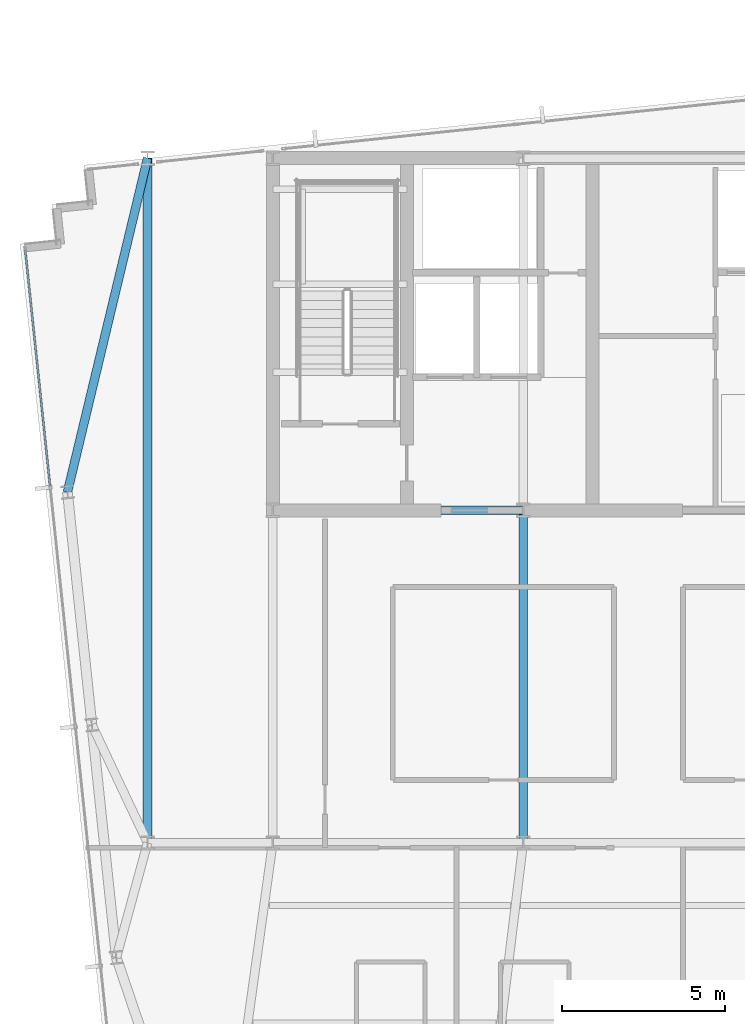
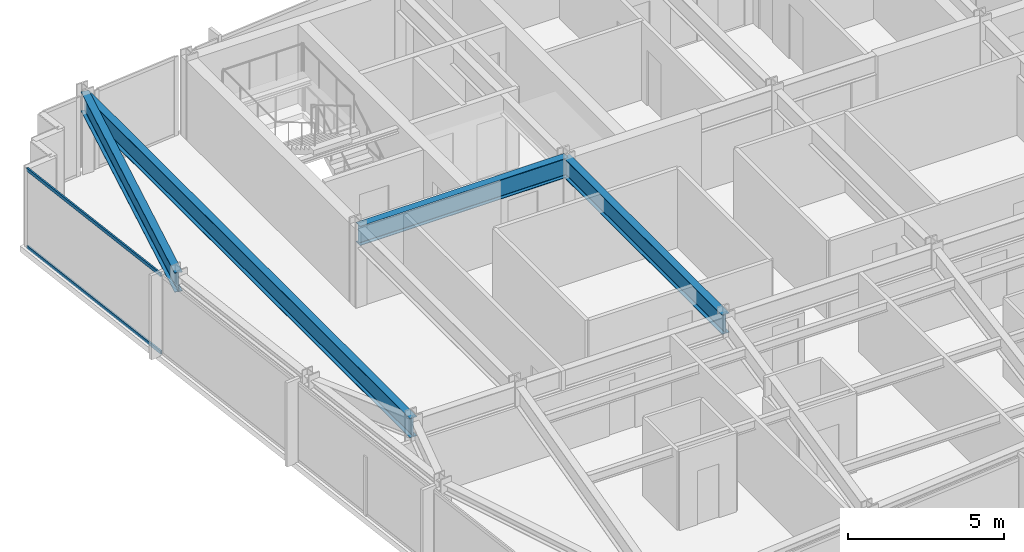
# One storey, part 11 of 33: 4 beams, 2 members, 1 element without a shape of its own.
"""IFC4 building model written with IfcOpenShell, lengths in metres."""

from ifc_helpers import new_model, si_unit, direction, frame, origin, origin_2d, place, context, subcontext, project, spatial, hollow_rectangle, i_section, extrude, material, material_profile, profile_set, type_object, element, aggregate, save


model = new_model("IFC4")

# Units and contexts
model_context = context("Model", 3, precision=1e-05, world=origin(), true_north=direction((0.0, 1.0)))
body_context = subcontext(model_context, "Body", "Model", "MODEL_VIEW")
ifc_project = project(units=[si_unit("LENGTHUNIT", "METRE"), si_unit("AREAUNIT", "SQUARE_METRE"), si_unit("VOLUMEUNIT", "CUBIC_METRE"), si_unit("PLANEANGLEUNIT", "RADIAN"), si_unit("MASSUNIT", "GRAM", prefix="KILO")], contexts=[model_context])

# Site, building, storey
site_placement = place(None, origin())
site = spatial("IfcSite", under=ifc_project, at=site_placement, CompositionType="ELEMENT")
building_placement = place(site_placement, origin())
building = spatial("IfcBuilding", under=site, at=building_placement, Name="Yelkora Congress Tower", CompositionType="ELEMENT")
storey_placement = place(building_placement, frame((0.0, 0.0, 237.5)))
storey = spatial("IfcBuildingStorey", under=building, at=storey_placement, Name="L66", CompositionType="ELEMENT", Elevation=237.5)

# Beams
ifc_material_1 = material(Name="Steel S355J2", Category="steel")
ifc_material_profile_1 = material_profile(ifc_material_1, i_section(OverallWidth=0.26708984375, OverallDepth=0.761962890625, WebThickness=0.014404296875, FlangeThickness=0.021484375, FilletRadius=0.01708984375, at=origin_2d()), Name="IPE 750x173")
ifc_profile_set_1 = profile_set([ifc_material_profile_1], Name="Steel S355J2")
beam_type = type_object("IfcBeamType", Name="BM-GIRD-IPE750", PredefinedType="BEAM", material=ifc_profile_set_1)
beam_1_placement = place(storey_placement, frame((23.0400390625, 35.39990234375, 2.698974609375), z_axis=(1.0, 0.0, 0.0), x_axis=(0.0, 1.0, 0.0)))
element("IfcBeam", 1, at=beam_1_placement, inside=storey, type_object=beam_type, Name="L66 Core South Girder 1", PredefinedType="BEAM", context=body_context, shape_type="SweptSolid", body=[
    extrude(i_section(OverallWidth=0.26708984375, OverallDepth=0.761962890625, WebThickness=0.014404296875, FlangeThickness=0.021484375, FilletRadius=0.01708984375, at=origin_2d()), origin(), (0.0, 0.0, 1.0), 7.679931640625),
])
beam_2_placement = place(storey_placement, frame((30.719970703125, 25.199951171875, 2.698974609375), z_axis=(0.0, 1.0, 0.0), x_axis=(-1.0, 0.0, 0.0)))
element("IfcBeam", 2, at=beam_2_placement, inside=storey, type_object=beam_type, Name="L66 Core Tie Girder MC-D2", PredefinedType="BEAM", context=body_context, shape_type="SweptSolid", body=[
    extrude(i_section(OverallWidth=0.26708984375, OverallDepth=0.761962890625, WebThickness=0.014404296875, FlangeThickness=0.021484375, FilletRadius=0.01708984375, at=origin_2d()), origin(), (0.0, 0.0, 1.0), 10.199951171875),
])
beam_3_placement = place(storey_placement, frame((19.199951171875, 25.199951171875, 2.698974609375), z_axis=(0.0, 1.0, 0.0), x_axis=(-1.0, 0.0, 0.0)))
element("IfcBeam", 3, at=beam_3_placement, inside=storey, type_object=beam_type, Name="L66 Neck Flank Girder MC-F1", PredefinedType="BEAM", context=body_context, shape_type="SweptSolid", body=[
    extrude(i_section(OverallWidth=0.26708984375, OverallDepth=0.761962890625, WebThickness=0.014404296875, FlangeThickness=0.021484375, FilletRadius=0.01708984375, at=origin_2d()), origin(), (0.0, 0.0, 1.0), 21.0),
])
beam_4_placement = place(storey_placement, frame((16.7412109375, 35.95458984375, 2.698974609375), z_axis=(0.233359806768, 0.972390456856, 0.0), x_axis=(-0.972390456856, 0.233359806768, 0.0)))
element("IfcBeam", 4, at=beam_4_placement, inside=storey, type_object=beam_type, Name="L66 Primary Frame Girder W03", PredefinedType="BEAM", context=body_context, shape_type="SweptSolid", body=[
    extrude(i_section(OverallWidth=0.26708984375, OverallDepth=0.761962890625, WebThickness=0.014404296875, FlangeThickness=0.021484375, FilletRadius=0.01708984375, at=origin_2d()), origin(), (0.0, 0.0, 1.0), 10.536376953125),
])

# Curtain wall, members
ifc_material_2 = material(Name="Anodised aluminium and insulated glass", Category="aluminium")
curtain_wall_type = type_object("IfcCurtainWallType", Name="CW-SYS-B4", PredefinedType="NOTDEFINED", material=ifc_material_2)
curtain_wall_placement = place(storey_placement, origin())
curtain_wall = element("IfcCurtainWall", 5, at=curtain_wall_placement, inside=storey, type_object=curtain_wall_type, Name="L66 Unitised Curtain Wall 5", PredefinedType="NOTDEFINED")
ifc_material_3 = material(Name="Anodised aluminium 6063-T6", Category="aluminium")
ifc_material_profile_2 = material_profile(ifc_material_3, hollow_rectangle(XDim=0.06005859375, YDim=0.1298828125, WallThickness=0.00390625, at=origin_2d()), Name="ALU 60x130x4")
ifc_profile_set_2 = profile_set([ifc_material_profile_2], Name="Anodised aluminium 6063-T6")
member_type = type_object("IfcMemberType", Name="MEM-TR-B4", PredefinedType="USERDEFINED", material=ifc_profile_set_2)
member_1_placement = place(storey_placement, frame((16.208984375, 36.137451171875, 0.030029296875), z_axis=(-0.104494567873, 0.994525457334, 0.0), x_axis=(-0.994525457334, -0.104494567873, 0.0)))
member_1 = element("IfcMember", 6, at=member_1_placement, type_object=member_type, Name="CW-B4 transom 4.1", ObjectType="TRANSOM", PredefinedType="USERDEFINED", context=body_context, shape_type="SweptSolid", body=[
    extrude(hollow_rectangle(XDim=0.06005859375, YDim=0.1298828125, WallThickness=0.00390625, at=origin_2d()), origin(), (0.0, 0.0, 1.0), 7.282470703125),
])
member_2_placement = place(storey_placement, frame((16.208984375, 36.137451171875, 3.050048828125), z_axis=(-0.104494567873, 0.994525457334, 0.0), x_axis=(-0.994525457334, -0.104494567873, 0.0)))
member_2 = element("IfcMember", 7, at=member_2_placement, type_object=member_type, Name="CW-B4 transom 4.2", ObjectType="TRANSOM", PredefinedType="USERDEFINED", context=body_context, shape_type="SweptSolid", body=[
    extrude(hollow_rectangle(XDim=0.06005859375, YDim=0.1298828125, WallThickness=0.00390625, at=origin_2d()), origin(), (0.0, 0.0, 1.0), 7.282470703125),
])
aggregate(curtain_wall, [member_1, member_2])

save(model, "model.ifc")
